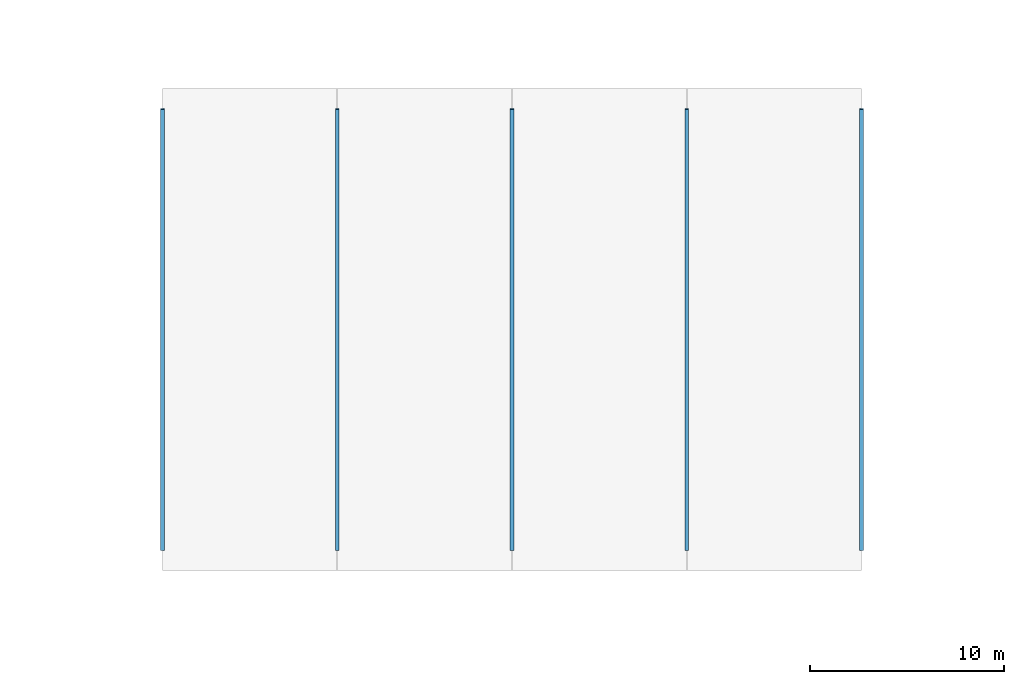
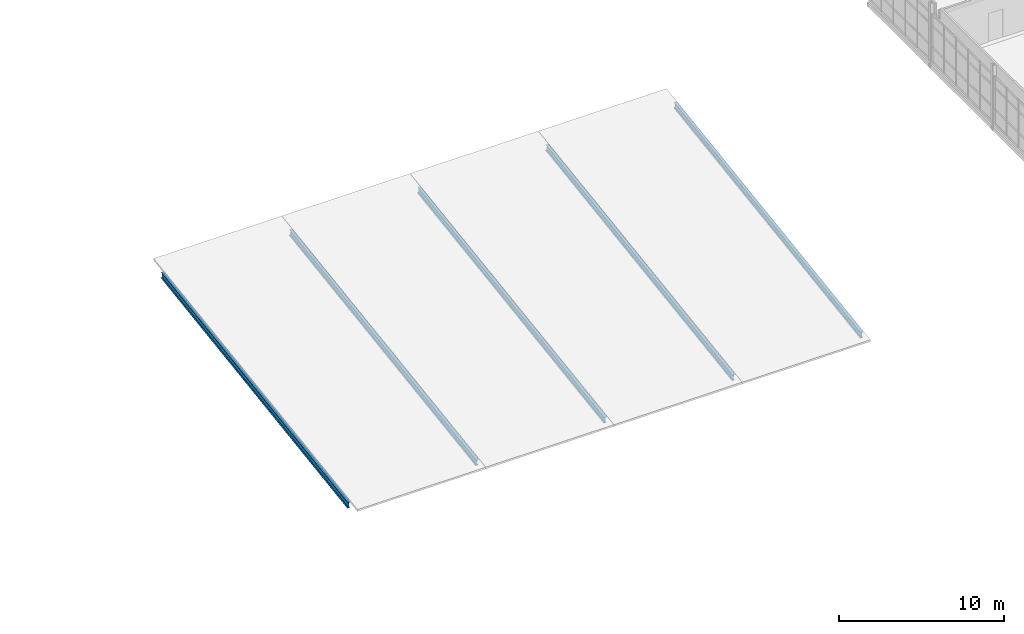
# One storey, part 13 of 48: 5 beams.
"""IFC4 building model written with IfcOpenShell, lengths in metres."""

from ifc_helpers import new_model, si_unit, direction, frame, origin, origin_2d, place, context, subcontext, project, spatial, i_section, extrude, material, material_profile, profile_set, type_object, element, save


model = new_model("IFC4")

# Units and contexts
model_context = context("Model", 3, precision=1e-05, world=origin(), true_north=direction((0.0, 1.0)))
body_context = subcontext(model_context, "Body", "Model", "MODEL_VIEW")
ifc_project = project(units=[si_unit("LENGTHUNIT", "METRE"), si_unit("AREAUNIT", "SQUARE_METRE"), si_unit("VOLUMEUNIT", "CUBIC_METRE"), si_unit("PLANEANGLEUNIT", "RADIAN"), si_unit("MASSUNIT", "GRAM", prefix="KILO")], contexts=[model_context])

# Site, building, storey
site_placement = place(None, origin())
site = spatial("IfcSite", under=ifc_project, at=site_placement, CompositionType="ELEMENT")
building_placement = place(site_placement, origin())
building = spatial("IfcBuilding", under=site, at=building_placement, Name="Caisbarro Railhouse Central Library", CompositionType="ELEMENT")
storey_placement = place(building_placement, frame((0.0, 0.0, 18.0)))
storey = spatial("IfcBuildingStorey", under=building, at=storey_placement, Name="L04", CompositionType="ELEMENT", Elevation=18.0)

# Beams
ifc_material = material(Name="Steel ASTM A572 Grade 50", Category="steel")
ifc_material_profile = material_profile(ifc_material, i_section(OverallWidth=0.18994140625, OverallDepth=0.45703125, WebThickness=0.009033203125, FlangeThickness=0.014404296875, FilletRadius=0.01806640625, at=origin_2d()), Name="W460X74.0")
ifc_profile_set = profile_set([ifc_material_profile], Name="Steel ASTM A572 Grade 50")
beam_type = type_object("IfcBeamType", Name="BM-G08", PredefinedType="BEAM", material=ifc_profile_set)
for number, where, z_axis, x_axis, name in (
    (1, (63.0, 83.64990234375, -0.300048828125), (0.0, 0.989284771518, 0.145998770002), (-1.0, 0.0, 0.0), "V6 Mono-Pitch Roof Rafter X=63"),
    (2, (72.0, 83.64990234375, -0.300048828125), (0.0, 0.989284771518, 0.145998770002), (-1.0, 0.0, 0.0), "V6 Mono-Pitch Roof Rafter X=72"),
    (3, (81.0, 83.64990234375, -0.300048828125), (0.0, 0.989284771518, 0.145998770002), (-1.0, 0.0, 0.0), "V6 Mono-Pitch Roof Rafter X=81"),
    (4, (90.0, 83.64990234375, -0.300048828125), (0.0, 0.989284771518, 0.145998770002), (-1.0, 0.0, 0.0), "V6 Mono-Pitch Roof Rafter X=90"),
    (5, (99.0, 83.64990234375, -0.300048828125), (0.0, 0.989284771518, 0.145998770002), (-1.0, 0.0, 0.0), "V6 Mono-Pitch Roof Rafter X=99"),
):
    element("IfcBeam", number, at=place(storey_placement, frame(where, z_axis=z_axis, x_axis=x_axis)), inside=storey, type_object=beam_type, Name=name, PredefinedType="BEAM", context=body_context, shape_type="SweptSolid", body=[
        extrude(i_section(OverallWidth=0.18994140625, OverallDepth=0.45703125, WebThickness=0.009033203125, FlangeThickness=0.014404296875, FilletRadius=0.01806640625, at=origin_2d()), origin(), (0.0, 0.0, 1.0), 22.946044921875),
    ])

save(model, "model.ifc")
